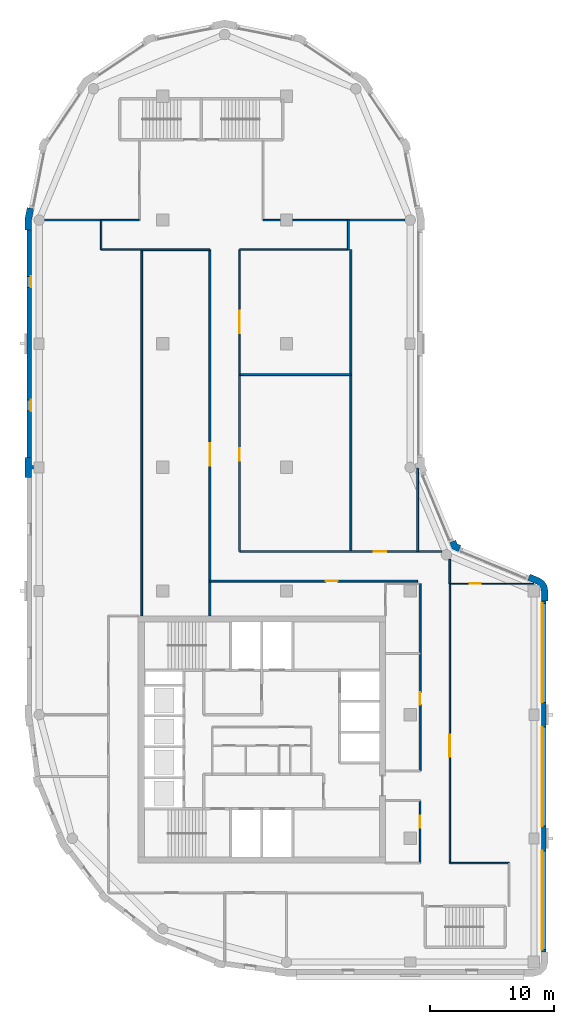
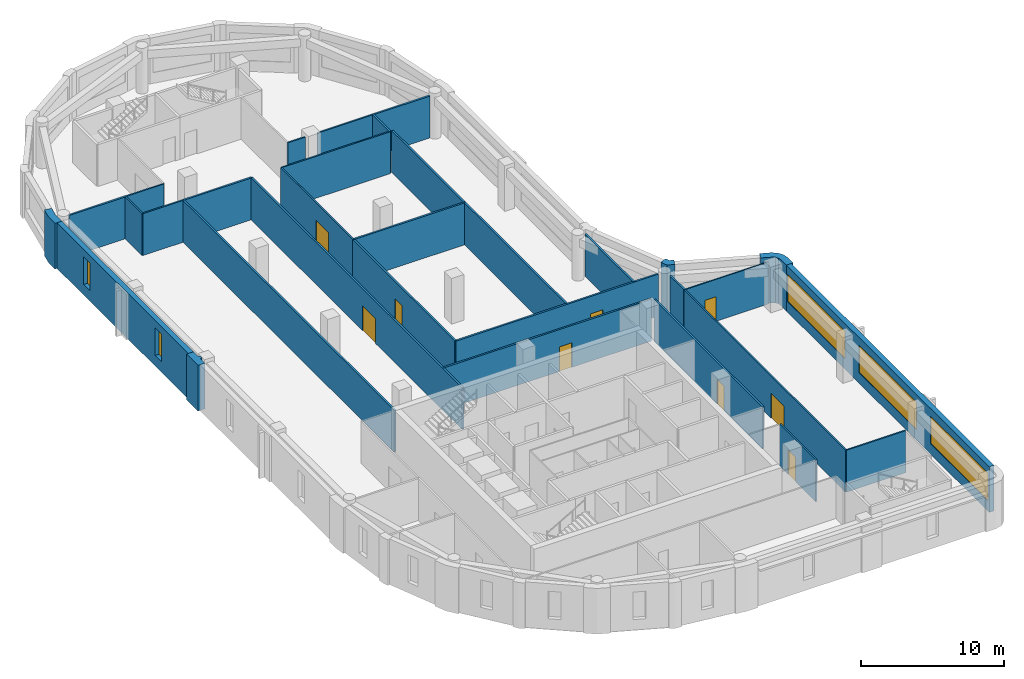
# One storey, part 4 of 8: 31 walls, 9 doors, 5 windows, 14 openings.
"""IFC4 building model written with IfcOpenShell, lengths in metres."""

from ifc_helpers import new_model, si_unit, direction, frame, frame_2d, origin, place, context, subcontext, project, spatial, polyline, rectangle, outline, extrude, material, layer, layer_set, type_object, element, fill, save


model = new_model("IFC4")

# Units and contexts
model_context = context("Model", 3, precision=1e-05, world=origin(), true_north=direction((0.0, 1.0)))
body_context = subcontext(model_context, "Body", "Model", "MODEL_VIEW")
ifc_project = project(units=[si_unit("LENGTHUNIT", "METRE"), si_unit("AREAUNIT", "SQUARE_METRE"), si_unit("VOLUMEUNIT", "CUBIC_METRE"), si_unit("PLANEANGLEUNIT", "RADIAN"), si_unit("MASSUNIT", "GRAM", prefix="KILO")], contexts=[model_context])

# Site, building, storey
site_placement = place(None, origin())
site = spatial("IfcSite", under=ifc_project, at=site_placement, CompositionType="ELEMENT")
building_placement = place(site_placement, origin())
building = spatial("IfcBuilding", under=site, at=building_placement, Name="Qaws Garden Tower", CompositionType="ELEMENT")
storey_placement = place(building_placement, frame((0.0, 0.0, 306.0)))
storey = spatial("IfcBuildingStorey", under=building, at=storey_placement, Name="L74", CompositionType="ELEMENT", Elevation=306.0)

# Wall
ifc_material_1 = material(Name="Clay facing brick masonry", Category="masonry")
ifc_layer_1 = layer(ifc_material_1, 0.550048828125)
ifc_layer_set_1 = layer_set([ifc_layer_1], Name="Clay facing brick masonry")
wall_type_1 = type_object("IfcWallType", Name="Brick corner pier 550 x 2400", PredefinedType="SOLIDWALL", material=ifc_layer_set_1)
placement = place(storey_placement, origin())
element("IfcWall", 1, at=placement, inside=storey, type_object=wall_type_1, Name="E-L74-pier-05", PredefinedType="SOLIDWALL", context=body_context, shape_type="SweptSolid", body=[
    extrude(outline(polyline([(41.0, 29.199951171875), (41.14990234375, 29.199951171875), (41.14990234375, 30.0), (41.0625, 30.440185546875), (40.813232421875, 30.813232421875), (40.440185546875, 31.0625), (39.700927734375, 31.36865234375), (39.6435546875, 31.22998046875), (39.490478515625, 30.860595703125), (40.2294921875, 30.554443359375), (40.42431640625, 30.42431640625), (40.554443359375, 30.2294921875), (40.60009765625, 30.0), (40.60009765625, 29.199951171875), (41.0, 29.199951171875)])), origin(), (0.0, 0.0, 1.0), 3.89990234375),
])

# Wall, openings, windows
ifc_material_2 = material(Name="Clay facing brick masonry", Category="masonry")
ifc_layer_2 = layer(ifc_material_2, 0.39990234375)
ifc_layer_set_2 = layer_set([ifc_layer_2], Name="Clay facing brick masonry")
wall_type_2 = type_object("IfcWallType", Name="Brick infill wall 400", PredefinedType="SOLIDWALL", material=ifc_layer_set_2)
wall_2_placement = place(storey_placement, frame((40.800048828125, 0.800048828125, 0.0), z_axis=(0.0, 0.0, 1.0), x_axis=(0.0, 1.0, 0.0)))
wall_2 = element("IfcWall", 2, at=wall_2_placement, inside=storey, type_object=wall_type_2, Name="E-L74-infill-02", PredefinedType="SOLIDWALL", context=body_context, shape_type="SweptSolid", body=[
    extrude(rectangle(XDim=28.39990234375, YDim=0.39990234375, at=frame_2d((14.199951171875, 0.0))), origin(), (0.0, 0.0, 1.0), 3.89990234375),
])
opening_1_placement = place(wall_2_placement, frame((0.199951171875, 0.0, 0.89990234375)))
opening_1 = element("IfcOpeningElement", 3, at=opening_1_placement, cuts=wall_2, Name="Opening W01", PredefinedType="OPENING", context=body_context, shape_type="SweptSolid", body=[
    extrude(rectangle(XDim=8.0, YDim=2.35009765625, at=frame_2d((4.0, 1.175048828125))), frame((0.0, 0.2099609375, 0.0), z_axis=(0.0, -1.0, 0.0), x_axis=(1.0, 0.0, 0.0)), (0.0, 0.0, 1.0), 0.419921875),
])
opening_2_placement = place(wall_2_placement, frame((10.199951171875, 0.0, 0.89990234375)))
opening_2 = element("IfcOpeningElement", 4, at=opening_2_placement, cuts=wall_2, Name="Opening W01", PredefinedType="OPENING", context=body_context, shape_type="SweptSolid", body=[
    extrude(rectangle(XDim=8.0, YDim=2.35009765625, at=frame_2d((4.0, 1.175048828125))), frame((0.0, 0.2099609375, 0.0), z_axis=(0.0, -1.0, 0.0), x_axis=(1.0, 0.0, 0.0)), (0.0, 0.0, 1.0), 0.419921875),
])
opening_3_placement = place(wall_2_placement, frame((20.199951171875, 0.0, 0.89990234375)))
opening_3 = element("IfcOpeningElement", 5, at=opening_3_placement, cuts=wall_2, Name="Opening W01", PredefinedType="OPENING", context=body_context, shape_type="SweptSolid", body=[
    extrude(rectangle(XDim=8.0, YDim=2.35009765625, at=frame_2d((4.0, 1.175048828125))), frame((0.0, 0.2099609375, 0.0), z_axis=(0.0, -1.0, 0.0), x_axis=(1.0, 0.0, 0.0)), (0.0, 0.0, 1.0), 0.419921875),
])
ifc_material_3 = material(Name="Aluminium framed window, clear glazing", Category="aluminium")
window_type_1 = type_object("IfcWindowType", Name="Ribbon window 8000 x 2350", PartitioningType="DOUBLE_PANEL_VERTICAL", PredefinedType="WINDOW", material=ifc_material_3)
window_1_placement = place(opening_1_placement, origin())
window_1 = element("IfcWindow", 6, at=window_1_placement, inside=storey, type_object=window_type_1, Name="E-L74-window-02-0", OverallHeight=2.35009765625, OverallWidth=8.0, PartitioningType="SINGLE_PANEL", PredefinedType="WINDOW", context=body_context, shape_type="SweptSolid", body=[
    extrude(rectangle(XDim=8.0, YDim=2.35009765625, at=frame_2d((4.0, 1.175048828125))), frame((0.0, 0.159912109375, 0.0), z_axis=(0.0, -1.0, 0.0), x_axis=(1.0, 0.0, 0.0)), (0.0, 0.0, 1.0), 0.06005859375),
])
fill(opening_1, window_1)
window_2_placement = place(opening_2_placement, origin())
window_2 = element("IfcWindow", 7, at=window_2_placement, inside=storey, type_object=window_type_1, Name="E-L74-window-03-0", OverallHeight=2.35009765625, OverallWidth=8.0, PartitioningType="SINGLE_PANEL", PredefinedType="WINDOW", context=body_context, shape_type="SweptSolid", body=[
    extrude(rectangle(XDim=8.0, YDim=2.35009765625, at=frame_2d((4.0, 1.175048828125))), frame((0.0, 0.159912109375, 0.0), z_axis=(0.0, -1.0, 0.0), x_axis=(1.0, 0.0, 0.0)), (0.0, 0.0, 1.0), 0.06005859375),
])
fill(opening_2, window_2)
window_3_placement = place(opening_3_placement, origin())
window_3 = element("IfcWindow", 8, at=window_3_placement, inside=storey, type_object=window_type_1, Name="E-L74-window-04-0", OverallHeight=2.35009765625, OverallWidth=8.0, PartitioningType="SINGLE_PANEL", PredefinedType="WINDOW", context=body_context, shape_type="SweptSolid", body=[
    extrude(rectangle(XDim=8.0, YDim=2.35009765625, at=frame_2d((4.0, 1.175048828125))), frame((0.0, 0.159912109375, 0.0), z_axis=(0.0, -1.0, 0.0), x_axis=(1.0, 0.0, 0.0)), (0.0, 0.0, 1.0), 0.06005859375),
])
fill(opening_3, window_3)

wall_3_placement = place(storey_placement, frame((-0.800048828125, 59.199951171875, 0.0), z_axis=(0.0, 0.0, 1.0), x_axis=(0.0, -1.0, 0.0)))
wall_3 = element("IfcWall", 9, at=wall_3_placement, inside=storey, type_object=wall_type_2, Name="E-L74-infill-17", PredefinedType="SOLIDWALL", context=body_context, shape_type="SweptSolid", body=[
    extrude(rectangle(XDim=18.39990234375, YDim=0.39990234375, at=frame_2d((9.199951171875, 0.0))), origin(), (0.0, 0.0, 1.0), 3.89990234375),
])
opening_4_placement = place(wall_3_placement, frame((3.75, 0.0, 0.89990234375)))
opening_4 = element("IfcOpeningElement", 10, at=opening_4_placement, cuts=wall_3, Name="Opening W09", PredefinedType="OPENING", context=body_context, shape_type="SweptSolid", body=[
    extrude(rectangle(XDim=0.89990234375, YDim=2.35009765625, at=frame_2d((0.449951171875, 1.175048828125))), frame((0.0, 0.2099609375, 0.0), z_axis=(0.0, -1.0, 0.0), x_axis=(1.0, 0.0, 0.0)), (0.0, 0.0, 1.0), 0.419921875),
])
opening_5_placement = place(wall_3_placement, frame((13.75, 0.0, 0.89990234375)))
opening_5 = element("IfcOpeningElement", 11, at=opening_5_placement, cuts=wall_3, Name="Opening W09", PredefinedType="OPENING", context=body_context, shape_type="SweptSolid", body=[
    extrude(rectangle(XDim=0.89990234375, YDim=2.35009765625, at=frame_2d((0.449951171875, 1.175048828125))), frame((0.0, 0.2099609375, 0.0), z_axis=(0.0, -1.0, 0.0), x_axis=(1.0, 0.0, 0.0)), (0.0, 0.0, 1.0), 0.419921875),
])
ifc_material_4 = material(Name="Aluminium framed window, clear glazing", Category="aluminium")
window_type_2 = type_object("IfcWindowType", Name="Slit window 900 x 2350", PartitioningType="SINGLE_PANEL", PredefinedType="WINDOW", material=ifc_material_4)
window_4_placement = place(opening_4_placement, origin())
window_4 = element("IfcWindow", 12, at=window_4_placement, inside=storey, type_object=window_type_2, Name="E-L74-window-17-0", OverallHeight=2.35009765625, OverallWidth=0.89990234375, PartitioningType="SINGLE_PANEL", PredefinedType="WINDOW", context=body_context, shape_type="SweptSolid", body=[
    extrude(rectangle(XDim=0.89990234375, YDim=2.35009765625, at=frame_2d((0.449951171875, 1.175048828125))), frame((0.0, 0.159912109375, 0.0), z_axis=(0.0, -1.0, 0.0), x_axis=(1.0, 0.0, 0.0)), (0.0, 0.0, 1.0), 0.06005859375),
])
fill(opening_4, window_4)
window_5_placement = place(opening_5_placement, origin())
window_5 = element("IfcWindow", 13, at=window_5_placement, inside=storey, type_object=window_type_2, Name="E-L74-window-18-0", OverallHeight=2.35009765625, OverallWidth=0.89990234375, PartitioningType="SINGLE_PANEL", PredefinedType="WINDOW", context=body_context, shape_type="SweptSolid", body=[
    extrude(rectangle(XDim=0.89990234375, YDim=2.35009765625, at=frame_2d((0.449951171875, 1.175048828125))), frame((0.0, 0.159912109375, 0.0), z_axis=(0.0, -1.0, 0.0), x_axis=(1.0, 0.0, 0.0)), (0.0, 0.0, 1.0), 0.06005859375),
])
fill(opening_5, window_5)

# Walls
ifc_material_5 = material(Name="Clay facing brick masonry", Category="masonry")
ifc_layer_3 = layer(ifc_material_5, 0.550048828125)
ifc_layer_set_3 = layer_set([ifc_layer_3], Name="Clay facing brick masonry")
wall_type_3 = type_object("IfcWallType", Name="Brick pier 550 x 1600", PredefinedType="SOLIDWALL", material=ifc_layer_set_3)
element("IfcWall", 14, at=placement, inside=storey, type_object=wall_type_3, Name="E-L74-pier-06", PredefinedType="SOLIDWALL", context=body_context, shape_type="SweptSolid", body=[
    extrude(outline(polyline([(34.05078125, 33.546630859375), (34.108154296875, 33.685302734375), (33.80908203125, 33.80908203125), (33.685302734375, 34.108154296875), (33.546630859375, 34.05078125), (33.177001953125, 33.897705078125), (33.38818359375, 33.38818359375), (33.897705078125, 33.177001953125), (34.05078125, 33.546630859375)])), origin(), (0.0, 0.0, 1.0), 3.89990234375),
])
element("IfcWall", 15, at=placement, inside=storey, type_object=wall_type_3, Name="E-L74-pier-17", PredefinedType="SOLIDWALL", context=body_context, shape_type="SweptSolid", body=[
    extrude(outline(polyline([(-0.82470703125, 60.979736328125), (-0.971923828125, 61.009033203125), (-1.14990234375, 60.11328125), (-1.14990234375, 59.199951171875), (-1.0, 59.199951171875), (-0.60009765625, 59.199951171875), (-0.60009765625, 60.05908203125), (-0.432373046875, 60.901611328125), (-0.82470703125, 60.979736328125)])), origin(), (0.0, 0.0, 1.0), 3.89990234375),
])
element("IfcWall", 16, at=placement, inside=storey, type_object=wall_type_3, Name="E-L74-pier-19", PredefinedType="SOLIDWALL", context=body_context, shape_type="SweptSolid", body=[
    extrude(outline(polyline([(-0.60009765625, 39.199951171875), (-0.60009765625, 39.85009765625), (-0.449951171875, 39.85009765625), (-0.449951171875, 40.14990234375), (-0.60009765625, 40.14990234375), (-0.60009765625, 40.800048828125), (-1.0, 40.800048828125), (-1.14990234375, 40.800048828125), (-1.14990234375, 40.0), (-1.14990234375, 39.199951171875), (-1.0, 39.199951171875), (-0.60009765625, 39.199951171875)])), origin(), (0.0, 0.0, 1.0), 3.89990234375),
])
ifc_material_6 = material(Name="Glass and aluminium framing", Category="aluminium")
ifc_layer_4 = layer(ifc_material_6, 0.1201171875)
ifc_layer_set_4 = layer_set([ifc_layer_4], Name="Glass and aluminium framing")
wall_type_4 = type_object("IfcWallType", Name="GLAZED PARTITION 120 EI 30", PredefinedType="PARTITIONING", material=ifc_layer_set_4)
wall_7_placement = place(storey_placement, frame((5.0, 57.60009765625, 0.0), z_axis=(0.0, 0.0, 1.0), x_axis=(0.0, 1.0, 0.0)))
element("IfcWall", 17, at=wall_7_placement, inside=storey, type_object=wall_type_4, Name="O-L74-wall-026", PredefinedType="PARTITIONING", context=body_context, shape_type="SweptSolid", body=[
    extrude(rectangle(XDim=2.39990234375, YDim=0.1201171875, at=frame_2d((1.199951171875, 0.0))), origin(), (0.0, 0.0, 1.0), 3.580078125),
])

# Wall, opening, door
wall_8_placement = place(storey_placement, frame((16.199951171875, 47.5, 0.0), z_axis=(0.0, 0.0, 1.0), x_axis=(0.0, 1.0, 0.0)))
wall_8 = element("IfcWall", 18, at=wall_8_placement, inside=storey, type_object=wall_type_4, Name="O-L74-wall-030", PredefinedType="PARTITIONING", context=body_context, shape_type="SweptSolid", body=[
    extrude(rectangle(XDim=10.10009765625, YDim=0.1201171875, at=frame_2d((5.050048828125, 0.0))), origin(), (0.0, 0.0, 1.0), 3.580078125),
])
opening_6_placement = place(wall_8_placement, frame((3.35009765625, 0.0, 0.0)))
opening_6 = element("IfcOpeningElement", 19, at=opening_6_placement, cuts=wall_8, Name="Opening C704", PredefinedType="OPENING", context=body_context, shape_type="SweptSolid", body=[
    extrude(rectangle(XDim=1.800048828125, YDim=2.10009765625, at=frame_2d((0.89990234375, 1.050048828125))), frame((0.0, 0.070068359375, 0.0), z_axis=(0.0, -1.0, 0.0), x_axis=(1.0, 0.0, 0.0)), (0.0, 0.0, 1.0), 0.14013671875),
])
ifc_material_7 = material(Name="Timber door leaf", Category="wood")
door_type_1 = type_object("IfcDoorType", Name="DOUBLE DOOR 1800 X 2100", OperationType="DOUBLE_DOOR_SINGLE_SWING", PredefinedType="DOOR", material=ifc_material_7)
door_1_placement = place(opening_6_placement, frame((1.800048828125, 0.0, 0.0), z_axis=(0.0, 0.0, 1.0), x_axis=(-1.0, 0.0, 0.0)))
door_1 = element("IfcDoor", 20, at=door_1_placement, inside=storey, type_object=door_type_1, Name="O-L74-door-004", OperationType="DOUBLE_DOOR_SINGLE_SWING", OverallHeight=2.10009765625, OverallWidth=1.800048828125, PredefinedType="DOOR", context=body_context, shape_type="SweptSolid", body=[
    extrude(rectangle(XDim=1.800048828125, YDim=2.10009765625, at=frame_2d((0.89990234375, 1.050048828125))), frame((0.0, 0.02490234375, 0.0), z_axis=(0.0, -1.0, 0.0), x_axis=(1.0, 0.0, 0.0)), (0.0, 0.0, 1.0), 0.050048828125),
])
fill(opening_6, door_1)

wall_9_placement = place(storey_placement, frame((30.800048828125, 8.0, 0.0), z_axis=(0.0, 0.0, 1.0), x_axis=(0.0, 1.0, 0.0)))
wall_9 = element("IfcWall", 21, at=wall_9_placement, inside=storey, type_object=wall_type_4, Name="O-L74-wall-032", PredefinedType="PARTITIONING", context=body_context, shape_type="SweptSolid", body=[
    extrude(rectangle(XDim=5.050048828125, YDim=0.1201171875, at=frame_2d((2.52490234375, 0.0))), origin(), (0.0, 0.0, 1.0), 3.580078125),
])
opening_7_placement = place(wall_9_placement, frame((2.85009765625, 0.0, 0.0)))
opening_7 = element("IfcOpeningElement", 22, at=opening_7_placement, cuts=wall_9, Name="Opening C711", PredefinedType="OPENING", context=body_context, shape_type="SweptSolid", body=[
    extrude(rectangle(XDim=1.0, YDim=2.10009765625, at=frame_2d((0.5, 1.050048828125))), frame((0.0, 0.070068359375, 0.0), z_axis=(0.0, -1.0, 0.0), x_axis=(1.0, 0.0, 0.0)), (0.0, 0.0, 1.0), 0.14013671875),
])
ifc_material_8 = material(Name="Timber door leaf", Category="wood")
door_type_2 = type_object("IfcDoorType", Name="TENANCY ENTRANCE DOOR 1000 X 2100", OperationType="SINGLE_SWING_LEFT", PredefinedType="DOOR", material=ifc_material_8)
door_2_placement = place(opening_7_placement, origin())
door_2 = element("IfcDoor", 23, at=door_2_placement, inside=storey, type_object=door_type_2, Name="O-L74-door-011", OperationType="SINGLE_SWING_RIGHT", OverallHeight=2.10009765625, OverallWidth=1.0, PredefinedType="DOOR", context=body_context, shape_type="SweptSolid", body=[
    extrude(rectangle(XDim=1.0, YDim=2.10009765625, at=frame_2d((0.5, 1.050048828125))), frame((0.0, 0.02490234375, 0.0), z_axis=(0.0, -1.0, 0.0), x_axis=(1.0, 0.0, 0.0)), (0.0, 0.0, 1.0), 0.050048828125),
])
fill(opening_7, door_2)

wall_10_placement = place(storey_placement, frame((33.199951171875, 8.0, 0.0), z_axis=(0.0, 0.0, 1.0), x_axis=(0.0, 1.0, 0.0)))
wall_10 = element("IfcWall", 24, at=wall_10_placement, inside=storey, type_object=wall_type_4, Name="O-L74-wall-034", PredefinedType="PARTITIONING", context=body_context, shape_type="SweptSolid", body=[
    extrude(rectangle(XDim=22.60009765625, YDim=0.1201171875, at=frame_2d((11.300048828125, 0.0))), origin(), (0.0, 0.0, 1.0), 3.580078125),
])
opening_8_placement = place(wall_10_placement, frame((8.60009765625, 0.0, 0.0)))
opening_8 = element("IfcOpeningElement", 25, at=opening_8_placement, cuts=wall_10, Name="Opening C712", PredefinedType="OPENING", context=body_context, shape_type="SweptSolid", body=[
    extrude(rectangle(XDim=1.800048828125, YDim=2.10009765625, at=frame_2d((0.89990234375, 1.050048828125))), frame((0.0, 0.070068359375, 0.0), z_axis=(0.0, -1.0, 0.0), x_axis=(1.0, 0.0, 0.0)), (0.0, 0.0, 1.0), 0.14013671875),
])
door_3_placement = place(opening_8_placement, frame((1.800048828125, 0.0, 0.0), z_axis=(0.0, 0.0, 1.0), x_axis=(-1.0, 0.0, 0.0)))
door_3 = element("IfcDoor", 26, at=door_3_placement, inside=storey, type_object=door_type_1, Name="O-L74-door-012", OperationType="DOUBLE_DOOR_SINGLE_SWING", OverallHeight=2.10009765625, OverallWidth=1.800048828125, PredefinedType="DOOR", context=body_context, shape_type="SweptSolid", body=[
    extrude(rectangle(XDim=1.800048828125, YDim=2.10009765625, at=frame_2d((0.89990234375, 1.050048828125))), frame((0.0, 0.02490234375, 0.0), z_axis=(0.0, -1.0, 0.0), x_axis=(1.0, 0.0, 0.0)), (0.0, 0.0, 1.0), 0.050048828125),
])
fill(opening_8, door_3)

# Walls
wall_11_placement = place(storey_placement, frame((33.199951171875, 8.0, 0.0), z_axis=(0.0, 0.0, 1.0), x_axis=(1.0, 0.0, 0.0)))
element("IfcWall", 27, at=wall_11_placement, inside=storey, type_object=wall_type_4, Name="O-L74-wall-039", PredefinedType="PARTITIONING", context=body_context, shape_type="SweptSolid", body=[
    extrude(rectangle(XDim=4.800048828125, YDim=0.1201171875, at=frame_2d((2.39990234375, 0.0))), origin(), (0.0, 0.0, 1.0), 3.580078125),
])
wall_12_placement = place(storey_placement, frame((5.0, 57.60009765625, 0.0), z_axis=(0.0, 0.0, 1.0), x_axis=(1.0, 0.0, 0.0)))
element("IfcWall", 28, at=wall_12_placement, inside=storey, type_object=wall_type_4, Name="O-L74-wall-042", PredefinedType="PARTITIONING", context=body_context, shape_type="SweptSolid", body=[
    extrude(rectangle(XDim=3.300048828125, YDim=0.1201171875, at=frame_2d((1.64990234375, 0.0))), origin(), (0.0, 0.0, 1.0), 3.580078125),
])
wall_13_placement = place(storey_placement, frame((16.199951171875, 57.60009765625, 0.0), z_axis=(0.0, 0.0, 1.0), x_axis=(1.0, 0.0, 0.0)))
element("IfcWall", 29, at=wall_13_placement, inside=storey, type_object=wall_type_4, Name="O-L74-wall-043", PredefinedType="PARTITIONING", context=body_context, shape_type="SweptSolid", body=[
    extrude(rectangle(XDim=8.800048828125, YDim=0.1201171875, at=frame_2d((4.39990234375, 0.0))), origin(), (0.0, 0.0, 1.0), 3.580078125),
])
wall_14_placement = place(storey_placement, frame((5.0, 60.0, 0.0), z_axis=(0.0, 0.0, 1.0), x_axis=(1.0, 0.0, 0.0)))
element("IfcWall", 30, at=wall_14_placement, inside=storey, type_object=wall_type_4, Name="O-L74-wall-044", PredefinedType="PARTITIONING", context=body_context, shape_type="SweptSolid", body=[
    extrude(rectangle(XDim=3.10009765625, YDim=0.1201171875, at=frame_2d((1.550048828125, 0.0))), origin(), (0.0, 0.0, 1.0), 3.580078125),
])
wall_15_placement = place(storey_placement, frame((18.10009765625, 60.0, 0.0), z_axis=(0.0, 0.0, 1.0), x_axis=(1.0, 0.0, 0.0)))
element("IfcWall", 31, at=wall_15_placement, inside=storey, type_object=wall_type_4, Name="O-L74-wall-045", PredefinedType="PARTITIONING", context=body_context, shape_type="SweptSolid", body=[
    extrude(rectangle(XDim=1.39990234375, YDim=0.1201171875, at=frame_2d((0.699951171875, 0.0))), origin(), (0.0, 0.0, 1.0), 3.580078125),
])
wall_16_placement = place(storey_placement, frame((20.5, 60.0, 0.0), z_axis=(0.0, 0.0, 1.0), x_axis=(1.0, 0.0, 0.0)))
element("IfcWall", 32, at=wall_16_placement, inside=storey, type_object=wall_type_4, Name="O-L74-wall-046", PredefinedType="PARTITIONING", context=body_context, shape_type="SweptSolid", body=[
    extrude(rectangle(XDim=4.5, YDim=0.1201171875, at=frame_2d((2.25, 0.0))), origin(), (0.0, 0.0, 1.0), 3.580078125),
])

# Wall, opening, door
ifc_material_9 = material(Name="Gypsum board partition")
ifc_layer_5 = layer(ifc_material_9, 0.10009765625)
ifc_layer_set_5 = layer_set([ifc_layer_5], Name="Gypsum board partition")
wall_type_5 = type_object("IfcWallType", Name="PARTITION 100", PredefinedType="PARTITIONING", material=ifc_layer_set_5)
wall_17_placement = place(storey_placement, frame((33.199951171875, 30.60009765625, 0.0), z_axis=(0.0, 0.0, 1.0), x_axis=(1.0, 0.0, 0.0)))
wall_17 = element("IfcWall", 33, at=wall_17_placement, inside=storey, type_object=wall_type_5, Name="O-L74-wall-003", PredefinedType="PARTITIONING", context=body_context, shape_type="SweptSolid", body=[
    extrude(rectangle(XDim=6.798583984375, YDim=0.10009765625, at=frame_2d((3.3994140625, 0.0))), origin(), (0.0, 0.0, 1.0), 3.580078125),
])
opening_9_placement = place(wall_17_placement, frame((1.60009765625, 0.0, 0.0)))
opening_9 = element("IfcOpeningElement", 34, at=opening_9_placement, cuts=wall_17, Name="Opening C715", PredefinedType="OPENING", context=body_context, shape_type="SweptSolid", body=[
    extrude(rectangle(XDim=0.89990234375, YDim=2.10009765625, at=frame_2d((0.449951171875, 1.050048828125))), frame((0.0, 0.06005859375, 0.0), z_axis=(0.0, -1.0, 0.0), x_axis=(1.0, 0.0, 0.0)), (0.0, 0.0, 1.0), 0.1201171875),
])
ifc_material_10 = material(Name="Timber door leaf", Category="wood")
door_type_3 = type_object("IfcDoorType", Name="OFFICE DOOR 900 X 2100", OperationType="SINGLE_SWING_LEFT", PredefinedType="DOOR", material=ifc_material_10)
door_4_placement = place(opening_9_placement, origin())
door_4 = element("IfcDoor", 35, at=door_4_placement, inside=storey, type_object=door_type_3, Name="O-L74-door-015", OperationType="SINGLE_SWING_LEFT", OverallHeight=2.10009765625, OverallWidth=0.89990234375, PredefinedType="DOOR", context=body_context, shape_type="SweptSolid", body=[
    extrude(rectangle(XDim=0.89990234375, YDim=2.10009765625, at=frame_2d((0.449951171875, 1.050048828125))), frame((0.0, 0.02490234375, 0.0), z_axis=(0.0, -1.0, 0.0), x_axis=(1.0, 0.0, 0.0)), (0.0, 0.0, 1.0), 0.050048828125),
])
fill(opening_9, door_4)

# Wall
ifc_material_11 = material(Name="Gypsum board partition")
ifc_layer_6 = layer(ifc_material_11, 0.14990234375)
ifc_layer_set_6 = layer_set([ifc_layer_6], Name="Gypsum board partition")
wall_type_6 = type_object("IfcWallType", Name="PARTITION 150 EI 60", PredefinedType="PARTITIONING", material=ifc_layer_set_6)
wall_18_placement = place(storey_placement, frame((8.300048828125, 28.0, 0.0), z_axis=(0.0, 0.0, 1.0), x_axis=(0.0, 1.0, 0.0)))
element("IfcWall", 36, at=wall_18_placement, inside=storey, type_object=wall_type_6, Name="O-L74-wall-005", PredefinedType="PARTITIONING", context=body_context, shape_type="SweptSolid", body=[
    extrude(rectangle(XDim=29.60009765625, YDim=0.14990234375, at=frame_2d((14.800048828125, 0.0))), origin(), (0.0, 0.0, 1.0), 3.580078125),
])

# Wall, opening, door
wall_19_placement = place(storey_placement, frame((13.800048828125, 28.0, 0.0), z_axis=(0.0, 0.0, 1.0), x_axis=(0.0, 1.0, 0.0)))
wall_19 = element("IfcWall", 37, at=wall_19_placement, inside=storey, type_object=wall_type_6, Name="O-L74-wall-006", PredefinedType="PARTITIONING", context=body_context, shape_type="SweptSolid", body=[
    extrude(rectangle(XDim=29.60009765625, YDim=0.14990234375, at=frame_2d((14.800048828125, 0.0))), origin(), (0.0, 0.0, 1.0), 3.580078125),
])
opening_10_placement = place(wall_19_placement, frame((12.14990234375, 0.0, 0.0)))
opening_10 = element("IfcOpeningElement", 38, at=opening_10_placement, cuts=wall_19, Name="Opening C713", PredefinedType="OPENING", context=body_context, shape_type="SweptSolid", body=[
    extrude(rectangle(XDim=1.800048828125, YDim=2.10009765625, at=frame_2d((0.89990234375, 1.050048828125))), frame((0.0, 0.0849609375, 0.0), z_axis=(0.0, -1.0, 0.0), x_axis=(1.0, 0.0, 0.0)), (0.0, 0.0, 1.0), 0.169921875),
])
door_5_placement = place(opening_10_placement, origin())
door_5 = element("IfcDoor", 39, at=door_5_placement, inside=storey, type_object=door_type_1, Name="O-L74-door-013", OperationType="DOUBLE_DOOR_SINGLE_SWING", OverallHeight=2.10009765625, OverallWidth=1.800048828125, PredefinedType="DOOR", context=body_context, shape_type="SweptSolid", body=[
    extrude(rectangle(XDim=1.800048828125, YDim=2.10009765625, at=frame_2d((0.89990234375, 1.050048828125))), frame((0.0, 0.02490234375, 0.0), z_axis=(0.0, -1.0, 0.0), x_axis=(1.0, 0.0, 0.0)), (0.0, 0.0, 1.0), 0.050048828125),
])
fill(opening_10, door_5)

wall_20_placement = place(storey_placement, frame((16.199951171875, 33.199951171875, 0.0), z_axis=(0.0, 0.0, 1.0), x_axis=(0.0, 1.0, 0.0)))
wall_20 = element("IfcWall", 40, at=wall_20_placement, inside=storey, type_object=wall_type_6, Name="O-L74-wall-008", PredefinedType="PARTITIONING", context=body_context, shape_type="SweptSolid", body=[
    extrude(rectangle(XDim=14.300048828125, YDim=0.14990234375, at=frame_2d((7.14990234375, 0.0))), origin(), (0.0, 0.0, 1.0), 3.580078125),
])
opening_11_placement = place(wall_20_placement, frame((7.35009765625, 0.0, 0.0)))
opening_11 = element("IfcOpeningElement", 41, at=opening_11_placement, cuts=wall_20, Name="Opening C703", PredefinedType="OPENING", context=body_context, shape_type="SweptSolid", body=[
    extrude(rectangle(XDim=1.0, YDim=2.10009765625, at=frame_2d((0.5, 1.050048828125))), frame((0.0, 0.0849609375, 0.0), z_axis=(0.0, -1.0, 0.0), x_axis=(1.0, 0.0, 0.0)), (0.0, 0.0, 1.0), 0.169921875),
])
door_6_placement = place(opening_11_placement, frame((1.0, 0.0, 0.0), z_axis=(0.0, 0.0, 1.0), x_axis=(-1.0, 0.0, 0.0)))
door_6 = element("IfcDoor", 42, at=door_6_placement, inside=storey, type_object=door_type_2, Name="O-L74-door-003", OperationType="SINGLE_SWING_RIGHT", OverallHeight=2.10009765625, OverallWidth=1.0, PredefinedType="DOOR", context=body_context, shape_type="SweptSolid", body=[
    extrude(rectangle(XDim=1.0, YDim=2.10009765625, at=frame_2d((0.5, 1.050048828125))), frame((0.0, 0.02490234375, 0.0), z_axis=(0.0, -1.0, 0.0), x_axis=(1.0, 0.0, 0.0)), (0.0, 0.0, 1.0), 0.050048828125),
])
fill(opening_11, door_6)

# Walls
wall_21_placement = place(storey_placement, frame((25.0, 57.60009765625, 0.0), z_axis=(0.0, 0.0, 1.0), x_axis=(0.0, 1.0, 0.0)))
element("IfcWall", 43, at=wall_21_placement, inside=storey, type_object=wall_type_6, Name="O-L74-wall-010", PredefinedType="PARTITIONING", context=body_context, shape_type="SweptSolid", body=[
    extrude(rectangle(XDim=2.39990234375, YDim=0.14990234375, at=frame_2d((1.199951171875, 0.0))), origin(), (0.0, 0.0, 1.0), 3.580078125),
])
wall_22_placement = place(storey_placement, frame((25.199951171875, 33.199951171875, 0.0), z_axis=(0.0, 0.0, 1.0), x_axis=(0.0, 1.0, 0.0)))
element("IfcWall", 44, at=wall_22_placement, inside=storey, type_object=wall_type_6, Name="O-L74-wall-011", PredefinedType="PARTITIONING", context=body_context, shape_type="SweptSolid", body=[
    extrude(rectangle(XDim=24.400146484375, YDim=0.14990234375, at=frame_2d((12.2001953125, 0.0))), origin(), (0.0, 0.0, 1.0), 3.580078125),
])
wall_23_placement = place(storey_placement, frame((30.60009765625, 33.199951171875, 0.0), z_axis=(0.0, 0.0, 1.0), x_axis=(0.0, 1.0, 0.0)))
element("IfcWall", 45, at=wall_23_placement, inside=storey, type_object=wall_type_6, Name="O-L74-wall-012", PredefinedType="PARTITIONING", context=body_context, shape_type="SweptSolid", body=[
    extrude(rectangle(XDim=6.73828125, YDim=0.14990234375, at=frame_2d((3.369140625, 0.0))), origin(), (0.0, 0.0, 1.0), 3.580078125),
])

# Wall, opening, door
wall_24_placement = place(storey_placement, frame((30.800048828125, 15.449951171875, 0.0), z_axis=(0.0, 0.0, 1.0), x_axis=(0.0, 1.0, 0.0)))
wall_24 = element("IfcWall", 46, at=wall_24_placement, inside=storey, type_object=wall_type_6, Name="O-L74-wall-013", PredefinedType="PARTITIONING", context=body_context, shape_type="SweptSolid", body=[
    extrude(rectangle(XDim=15.150146484375, YDim=0.14990234375, at=frame_2d((7.5751953125, 0.0))), origin(), (0.0, 0.0, 1.0), 3.580078125),
])
opening_12_placement = place(wall_24_placement, frame((5.35009765625, 0.0, 0.0)))
opening_12 = element("IfcOpeningElement", 47, at=opening_12_placement, cuts=wall_24, Name="Opening C710", PredefinedType="OPENING", context=body_context, shape_type="SweptSolid", body=[
    extrude(rectangle(XDim=1.0, YDim=2.10009765625, at=frame_2d((0.5, 1.050048828125))), frame((0.0, 0.0849609375, 0.0), z_axis=(0.0, -1.0, 0.0), x_axis=(1.0, 0.0, 0.0)), (0.0, 0.0, 1.0), 0.169921875),
])
door_7_placement = place(opening_12_placement, origin())
door_7 = element("IfcDoor", 48, at=door_7_placement, inside=storey, type_object=door_type_2, Name="O-L74-door-010", OperationType="SINGLE_SWING_RIGHT", OverallHeight=2.10009765625, OverallWidth=1.0, PredefinedType="DOOR", context=body_context, shape_type="SweptSolid", body=[
    extrude(rectangle(XDim=1.0, YDim=2.10009765625, at=frame_2d((0.5, 1.050048828125))), frame((0.0, 0.02490234375, 0.0), z_axis=(0.0, -1.0, 0.0), x_axis=(1.0, 0.0, 0.0)), (0.0, 0.0, 1.0), 0.050048828125),
])
fill(opening_12, door_7)

# Wall
wall_25_placement = place(storey_placement, frame((33.199951171875, 30.60009765625, 0.0), z_axis=(0.0, 0.0, 1.0), x_axis=(0.0, 1.0, 0.0)))
element("IfcWall", 49, at=wall_25_placement, inside=storey, type_object=wall_type_6, Name="O-L74-wall-014", PredefinedType="PARTITIONING", context=body_context, shape_type="SweptSolid", body=[
    extrude(rectangle(XDim=1.951904296875, YDim=0.14990234375, at=frame_2d((0.97607421875, 0.0))), origin(), (0.0, 0.0, 1.0), 3.580078125),
])

# Wall, opening, door
wall_26_placement = place(storey_placement, frame((13.802001953125, 30.800048828125, 0.0), z_axis=(0.0, 0.0, 1.0), x_axis=(1.0, 0.0, 0.0)))
wall_26 = element("IfcWall", 50, at=wall_26_placement, inside=storey, type_object=wall_type_6, Name="O-L74-wall-020", PredefinedType="PARTITIONING", context=body_context, shape_type="SweptSolid", body=[
    extrude(rectangle(XDim=16.797119140625, YDim=0.14990234375, at=frame_2d((8.3984375, 0.0))), origin(), (0.0, 0.0, 1.0), 3.580078125),
])
opening_13_placement = place(wall_26_placement, frame((9.35009765625, 0.0, 0.0)))
opening_13 = element("IfcOpeningElement", 51, at=opening_13_placement, cuts=wall_26, Name="Opening C707", PredefinedType="OPENING", context=body_context, shape_type="SweptSolid", body=[
    extrude(rectangle(XDim=1.0, YDim=2.10009765625, at=frame_2d((0.5, 1.050048828125))), frame((0.0, 0.0849609375, 0.0), z_axis=(0.0, -1.0, 0.0), x_axis=(1.0, 0.0, 0.0)), (0.0, 0.0, 1.0), 0.169921875),
])
door_8_placement = place(opening_13_placement, frame((1.0, 0.0, 0.0), z_axis=(0.0, 0.0, 1.0), x_axis=(-1.0, 0.0, 0.0)))
door_8 = element("IfcDoor", 52, at=door_8_placement, inside=storey, type_object=door_type_2, Name="O-L74-door-007", OperationType="SINGLE_SWING_LEFT", OverallHeight=2.10009765625, OverallWidth=1.0, PredefinedType="DOOR", context=body_context, shape_type="SweptSolid", body=[
    extrude(rectangle(XDim=1.0, YDim=2.10009765625, at=frame_2d((0.5, 1.050048828125))), frame((0.0, 0.02490234375, 0.0), z_axis=(0.0, -1.0, 0.0), x_axis=(1.0, 0.0, 0.0)), (0.0, 0.0, 1.0), 0.050048828125),
])
fill(opening_13, door_8)

wall_27_placement = place(storey_placement, frame((16.199951171875, 33.199951171875, 0.0), z_axis=(0.0, 0.0, 1.0), x_axis=(1.0, 0.0, 0.0)))
wall_27 = element("IfcWall", 53, at=wall_27_placement, inside=storey, type_object=wall_type_6, Name="O-L74-wall-021", PredefinedType="PARTITIONING", context=body_context, shape_type="SweptSolid", body=[
    extrude(rectangle(XDim=16.35205078125, YDim=0.14990234375, at=frame_2d((8.176025390625, 0.0))), origin(), (0.0, 0.0, 1.0), 3.580078125),
])
opening_14_placement = place(wall_27_placement, frame((10.85009765625, 0.0, 0.0)))
opening_14 = element("IfcOpeningElement", 54, at=opening_14_placement, cuts=wall_27, Name="Opening C705", PredefinedType="OPENING", context=body_context, shape_type="SweptSolid", body=[
    extrude(rectangle(XDim=1.0, YDim=2.10009765625, at=frame_2d((0.5, 1.050048828125))), frame((0.0, 0.0849609375, 0.0), z_axis=(0.0, -1.0, 0.0), x_axis=(1.0, 0.0, 0.0)), (0.0, 0.0, 1.0), 0.169921875),
])
door_9_placement = place(opening_14_placement, origin())
door_9 = element("IfcDoor", 55, at=door_9_placement, inside=storey, type_object=door_type_2, Name="O-L74-door-005", OperationType="SINGLE_SWING_RIGHT", OverallHeight=2.10009765625, OverallWidth=1.0, PredefinedType="DOOR", context=body_context, shape_type="SweptSolid", body=[
    extrude(rectangle(XDim=1.0, YDim=2.10009765625, at=frame_2d((0.5, 1.050048828125))), frame((0.0, 0.02490234375, 0.0), z_axis=(0.0, -1.0, 0.0), x_axis=(1.0, 0.0, 0.0)), (0.0, 0.0, 1.0), 0.050048828125),
])
fill(opening_14, door_9)

# Walls
wall_28_placement = place(storey_placement, frame((16.199951171875, 47.5, 0.0), z_axis=(0.0, 0.0, 1.0), x_axis=(1.0, 0.0, 0.0)))
element("IfcWall", 56, at=wall_28_placement, inside=storey, type_object=wall_type_6, Name="O-L74-wall-022", PredefinedType="PARTITIONING", context=body_context, shape_type="SweptSolid", body=[
    extrude(rectangle(XDim=9.0, YDim=0.14990234375, at=frame_2d((4.5, 0.0))), origin(), (0.0, 0.0, 1.0), 3.580078125),
])
wall_29_placement = place(storey_placement, frame((8.300048828125, 57.60009765625, 0.0), z_axis=(0.0, 0.0, 1.0), x_axis=(1.0, 0.0, 0.0)))
element("IfcWall", 57, at=wall_29_placement, inside=storey, type_object=wall_type_6, Name="O-L74-wall-023", PredefinedType="PARTITIONING", context=body_context, shape_type="SweptSolid", body=[
    extrude(rectangle(XDim=5.5, YDim=0.14990234375, at=frame_2d((2.75, 0.0))), origin(), (0.0, 0.0, 1.0), 3.580078125),
])
for number, where, z_axis, x_axis, name in (
    (58, (0.425048828125, 60.0, 0.0), (0.0, 0.0, 1.0), (1.0, 0.0, 0.0), "O-L74-wall-024"),
    (59, (25.0, 60.0, 0.0), (0.0, 0.0, 1.0), (1.0, 0.0, 0.0), "O-L74-wall-025"),
):
    element("IfcWall", number, at=place(storey_placement, frame(where, z_axis=z_axis, x_axis=x_axis)), inside=storey, type_object=wall_type_6, Name=name, PredefinedType="PARTITIONING", context=body_context, shape_type="SweptSolid", body=[
        extrude(rectangle(XDim=4.574951171875, YDim=0.14990234375, at=frame_2d((2.28759765625, 0.0))), origin(), (0.0, 0.0, 1.0), 3.580078125),
    ])

save(model, "model.ifc")
